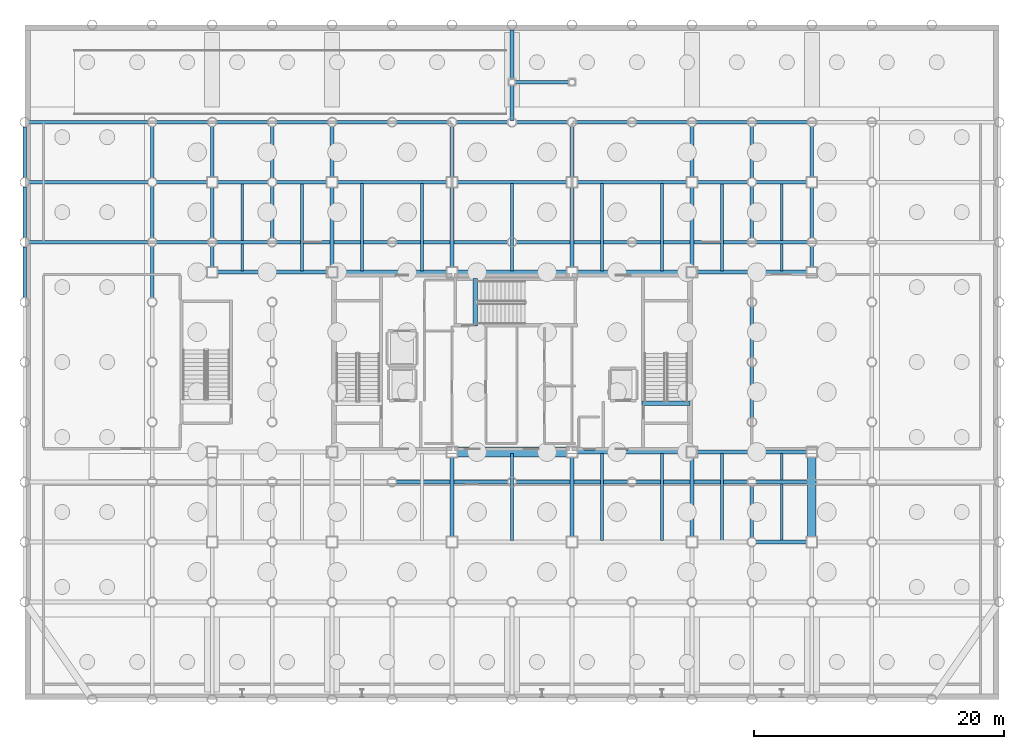
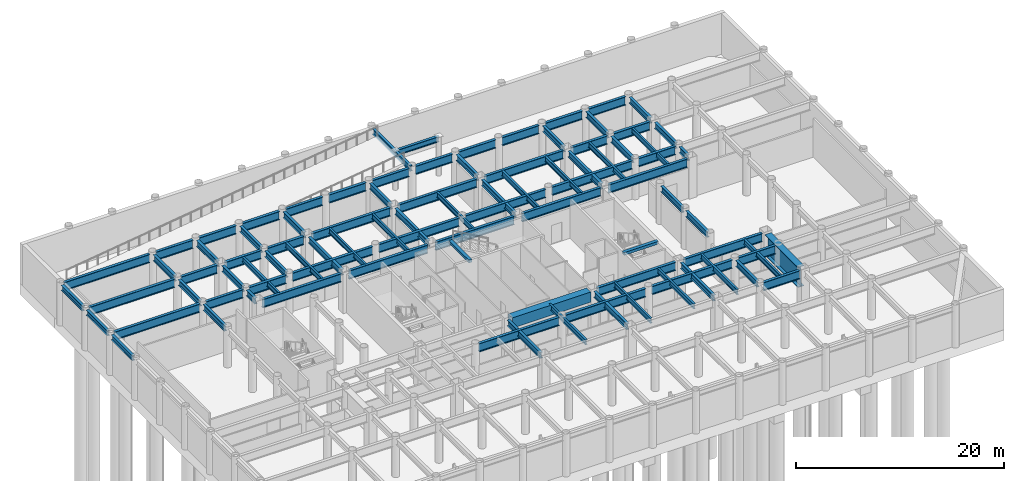
# One storey, part 7 of 17: 91 beams.
"""IFC4 building model written with IfcOpenShell, lengths in metres."""

from ifc_helpers import new_model, si_unit, direction, frame, origin, origin_2d, place, context, subcontext, project, spatial, rectangle, i_section, extrude, material, material_profile, profile_set, type_object, element, save


model = new_model("IFC4")

# Units and contexts
model_context = context("Model", 3, precision=1e-05, world=origin(), true_north=direction((0.0, 1.0)))
body_context = subcontext(model_context, "Body", "Model", "MODEL_VIEW")
ifc_project = project(units=[si_unit("LENGTHUNIT", "METRE"), si_unit("AREAUNIT", "SQUARE_METRE"), si_unit("VOLUMEUNIT", "CUBIC_METRE"), si_unit("PLANEANGLEUNIT", "RADIAN"), si_unit("MASSUNIT", "GRAM", prefix="KILO")], contexts=[model_context])

# Site, building, storey
site_placement = place(None, origin())
site = spatial("IfcSite", under=ifc_project, at=site_placement, CompositionType="ELEMENT")
building_placement = place(site_placement, origin())
building = spatial("IfcBuilding", under=site, at=building_placement, Name="Kallvorn Hotel Tower", CompositionType="ELEMENT")
storey_placement = place(building_placement, frame((0.0, 0.0, -10.199951171875)))
storey = spatial("IfcBuildingStorey", under=building, at=storey_placement, Name="B2", CompositionType="ELEMENT", Elevation=-10.199951171875)

# Beams
ifc_material_1 = material(Name="Structural steel S355JR", Category="steel")
ifc_material_profile_1 = material_profile(ifc_material_1, i_section(OverallWidth=0.300048828125, OverallDepth=1.0, WebThickness=0.01904296875, FlangeThickness=0.035888671875, at=origin_2d()), Name="HE 1000 B")
ifc_profile_set_1 = profile_set([ifc_material_profile_1], Name="Structural steel S355JR")
beam_type_1 = type_object("IfcBeamType", Name="BM_HE1000B", PredefinedType="BEAM", material=ifc_profile_set_1)
beam_1_placement = place(storey_placement, frame((19.555908203125, -14.39990234375, 4.050048828125), z_axis=(1.0, 0.0, 0.0), x_axis=(0.0, 1.0, 0.0)))
element("IfcBeam", 1, at=beam_1_placement, inside=storey, type_object=beam_type_1, Name="B1 Primary X-Girder 25", PredefinedType="BEAM", context=body_context, shape_type="SweptSolid", body=[
    extrude(i_section(OverallWidth=0.300048828125, OverallDepth=1.0, WebThickness=0.01904296875, FlangeThickness=0.035888671875, at=origin_2d()), origin(), (0.0, 0.0, 1.0), 4.01904296875),
])
for number, where, z_axis, x_axis, name in (
    (2, (-9.243896484375, -9.60009765625, 4.050048828125), (1.0, 0.0, 0.0), (0.0, 1.0, 0.0), "B1 Primary X-Girder 32"),
    (3, (0.35595703125, -9.60009765625, 4.050048828125), (1.0, 0.0, 0.0), (0.0, 1.0, 0.0), "B1 Primary X-Girder 33"),
    (4, (9.9560546875, -9.60009765625, 4.050048828125), (1.0, 0.0, 0.0), (0.0, 1.0, 0.0), "B1 Primary X-Girder 34"),
):
    element("IfcBeam", number, at=place(storey_placement, frame(where, z_axis=z_axis, x_axis=x_axis)), inside=storey, type_object=beam_type_1, Name=name, PredefinedType="BEAM", context=body_context, shape_type="SweptSolid", body=[
        extrude(i_section(OverallWidth=0.300048828125, OverallDepth=1.0, WebThickness=0.01904296875, FlangeThickness=0.035888671875, at=origin_2d()), origin(), (0.0, 0.0, 1.0), 8.887939453125),
    ])
beam_2_placement = place(storey_placement, frame((19.555908203125, -9.60009765625, 4.050048828125), z_axis=(1.0, 0.0, 0.0), x_axis=(0.0, 1.0, 0.0)))
element("IfcBeam", 5, at=beam_2_placement, inside=storey, type_object=beam_type_1, Name="B1 Primary X-Girder 35", PredefinedType="BEAM", context=body_context, shape_type="SweptSolid", body=[
    extrude(i_section(OverallWidth=0.300048828125, OverallDepth=1.0, WebThickness=0.01904296875, FlangeThickness=0.035888671875, at=origin_2d()), origin(), (0.0, 0.0, 1.0), 4.088134765625),
])
for number, where, z_axis, x_axis, name in (
    (6, (5.22509765625, -7.199951171875, 4.050048828125), (1.0, 0.0, 0.0), (0.0, 1.0, 0.0), "B1 Primary X-Girder 40"),
    (7, (14.824951171875, -7.199951171875, 4.050048828125), (1.0, 0.0, 0.0), (0.0, 1.0, 0.0), "B1 Primary X-Girder 41"),
    (8, (-23.574951171875, 7.199951171875, 4.050048828125), (1.0, 0.0, 0.0), (0.0, 1.0, 0.0), "B1 Primary X-Girder 42"),
    (9, (-13.97509765625, 7.199951171875, 4.050048828125), (1.0, 0.0, 0.0), (0.0, 1.0, 0.0), "B1 Primary X-Girder 43"),
    (10, (-4.375, 7.199951171875, 4.050048828125), (1.0, 0.0, 0.0), (0.0, 1.0, 0.0), "B1 Primary X-Girder 44"),
    (11, (5.22509765625, 7.199951171875, 4.050048828125), (1.0, 0.0, 0.0), (0.0, 1.0, 0.0), "B1 Primary X-Girder 45"),
    (12, (14.824951171875, 7.199951171875, 4.050048828125), (1.0, 0.0, 0.0), (0.0, 1.0, 0.0), "B1 Primary X-Girder 46"),
):
    element("IfcBeam", number, at=place(storey_placement, frame(where, z_axis=z_axis, x_axis=x_axis)), inside=storey, type_object=beam_type_1, Name=name, PredefinedType="BEAM", context=body_context, shape_type="SweptSolid", body=[
        extrude(i_section(OverallWidth=0.300048828125, OverallDepth=1.0, WebThickness=0.01904296875, FlangeThickness=0.035888671875, at=origin_2d()), origin(), (0.0, 0.0, 1.0), 8.75),
    ])
beam_3_placement = place(storey_placement, frame((-38.64404296875, 9.60009765625, 4.050048828125), z_axis=(1.0, 0.0, 0.0), x_axis=(0.0, 1.0, 0.0)))
element("IfcBeam", 13, at=beam_3_placement, inside=storey, type_object=beam_type_1, Name="B1 Primary X-Girder 47", PredefinedType="BEAM", context=body_context, shape_type="SweptSolid", body=[
    extrude(i_section(OverallWidth=0.300048828125, OverallDepth=1.0, WebThickness=0.01904296875, FlangeThickness=0.035888671875, at=origin_2d()), origin(), (0.0, 0.0, 1.0), 9.488037109375),
])
for number, where, z_axis, x_axis, name in (
    (14, (-28.444091796875, 9.60009765625, 4.050048828125), (1.0, 0.0, 0.0), (0.0, 1.0, 0.0), "B1 Primary X-Girder 48"),
    (15, (-23.64404296875, 9.60009765625, 4.050048828125), (1.0, 0.0, 0.0), (0.0, 1.0, 0.0), "B1 Primary X-Girder 49"),
):
    element("IfcBeam", number, at=place(storey_placement, frame(where, z_axis=z_axis, x_axis=x_axis)), inside=storey, type_object=beam_type_1, Name=name, PredefinedType="BEAM", context=body_context, shape_type="SweptSolid", body=[
        extrude(i_section(OverallWidth=0.300048828125, OverallDepth=1.0, WebThickness=0.01904296875, FlangeThickness=0.035888671875, at=origin_2d()), origin(), (0.0, 0.0, 1.0), 4.088134765625),
    ])
for number, where, z_axis, x_axis, name in (
    (16, (-18.843994140625, 9.60009765625, 4.050048828125), (1.0, 0.0, 0.0), (0.0, 1.0, 0.0), "B1 Primary X-Girder 50"),
    (17, (-9.243896484375, 9.60009765625, 4.050048828125), (1.0, 0.0, 0.0), (0.0, 1.0, 0.0), "B1 Primary X-Girder 51"),
    (18, (0.35595703125, 9.60009765625, 4.050048828125), (1.0, 0.0, 0.0), (0.0, 1.0, 0.0), "B1 Primary X-Girder 52"),
    (19, (9.9560546875, 9.60009765625, 4.050048828125), (1.0, 0.0, 0.0), (0.0, 1.0, 0.0), "B1 Primary X-Girder 53"),
):
    element("IfcBeam", number, at=place(storey_placement, frame(where, z_axis=z_axis, x_axis=x_axis)), inside=storey, type_object=beam_type_1, Name=name, PredefinedType="BEAM", context=body_context, shape_type="SweptSolid", body=[
        extrude(i_section(OverallWidth=0.300048828125, OverallDepth=1.0, WebThickness=0.01904296875, FlangeThickness=0.035888671875, at=origin_2d()), origin(), (0.0, 0.0, 1.0), 8.887939453125),
    ])
beam_4_placement = place(storey_placement, frame((19.555908203125, 9.60009765625, 4.050048828125), z_axis=(1.0, 0.0, 0.0), x_axis=(0.0, 1.0, 0.0)))
element("IfcBeam", 20, at=beam_4_placement, inside=storey, type_object=beam_type_1, Name="B1 Primary X-Girder 54", PredefinedType="BEAM", context=body_context, shape_type="SweptSolid", body=[
    extrude(i_section(OverallWidth=0.300048828125, OverallDepth=1.0, WebThickness=0.01904296875, FlangeThickness=0.035888671875, at=origin_2d()), origin(), (0.0, 0.0, 1.0), 4.088134765625),
])
beam_5_placement = place(storey_placement, frame((-38.64404296875, 14.39990234375, 4.050048828125), z_axis=(1.0, 0.0, 0.0), x_axis=(0.0, 1.0, 0.0)))
element("IfcBeam", 21, at=beam_5_placement, inside=storey, type_object=beam_type_1, Name="B1 Primary X-Girder 57", PredefinedType="BEAM", context=body_context, shape_type="SweptSolid", body=[
    extrude(i_section(OverallWidth=0.300048828125, OverallDepth=1.0, WebThickness=0.01904296875, FlangeThickness=0.035888671875, at=origin_2d()), origin(), (0.0, 0.0, 1.0), 9.488037109375),
])
for number, where, z_axis, x_axis, name in (
    (22, (-28.444091796875, 14.39990234375, 4.050048828125), (1.0, 0.0, 0.0), (0.0, 1.0, 0.0), "B1 Primary X-Girder 58"),
    (23, (-23.574951171875, 14.39990234375, 4.050048828125), (1.0, 0.0, 0.0), (0.0, 1.0, 0.0), "B1 Primary X-Girder 59"),
    (24, (-18.843994140625, 14.39990234375, 4.050048828125), (1.0, 0.0, 0.0), (0.0, 1.0, 0.0), "B1 Primary X-Girder 60"),
):
    element("IfcBeam", number, at=place(storey_placement, frame(where, z_axis=z_axis, x_axis=x_axis)), inside=storey, type_object=beam_type_1, Name=name, PredefinedType="BEAM", context=body_context, shape_type="SweptSolid", body=[
        extrude(i_section(OverallWidth=0.300048828125, OverallDepth=1.0, WebThickness=0.01904296875, FlangeThickness=0.035888671875, at=origin_2d()), origin(), (0.0, 0.0, 1.0), 4.01904296875),
    ])
for number, where, z_axis, x_axis, name in (
    (25, (-13.97509765625, 14.39990234375, 4.050048828125), (1.0, 0.0, 0.0), (0.0, 1.0, 0.0), "B1 Primary X-Girder 61"),
    (26, (-4.375, 14.39990234375, 4.050048828125), (1.0, 0.0, 0.0), (0.0, 1.0, 0.0), "B1 Primary X-Girder 62"),
    (27, (5.22509765625, 14.39990234375, 4.050048828125), (1.0, 0.0, 0.0), (0.0, 1.0, 0.0), "B1 Primary X-Girder 63"),
):
    element("IfcBeam", number, at=place(storey_placement, frame(where, z_axis=z_axis, x_axis=x_axis)), inside=storey, type_object=beam_type_1, Name=name, PredefinedType="BEAM", context=body_context, shape_type="SweptSolid", body=[
        extrude(i_section(OverallWidth=0.300048828125, OverallDepth=1.0, WebThickness=0.01904296875, FlangeThickness=0.035888671875, at=origin_2d()), origin(), (0.0, 0.0, 1.0), 8.75),
    ])
for number, where, z_axis, x_axis, name in (
    (28, (14.824951171875, 14.39990234375, 4.050048828125), (1.0, 0.0, 0.0), (0.0, 1.0, 0.0), "B1 Primary X-Girder 64"),
    (29, (19.555908203125, 14.39990234375, 4.050048828125), (1.0, 0.0, 0.0), (0.0, 1.0, 0.0), "B1 Primary X-Girder 65"),
):
    element("IfcBeam", number, at=place(storey_placement, frame(where, z_axis=z_axis, x_axis=x_axis)), inside=storey, type_object=beam_type_1, Name=name, PredefinedType="BEAM", context=body_context, shape_type="SweptSolid", body=[
        extrude(i_section(OverallWidth=0.300048828125, OverallDepth=1.0, WebThickness=0.01904296875, FlangeThickness=0.035888671875, at=origin_2d()), origin(), (0.0, 0.0, 1.0), 4.01904296875),
    ])
beam_6_placement = place(storey_placement, frame((-38.64404296875, 19.199951171875, 4.050048828125), z_axis=(1.0, 0.0, 0.0), x_axis=(0.0, 1.0, 0.0)))
element("IfcBeam", 30, at=beam_6_placement, inside=storey, type_object=beam_type_1, Name="B1 Primary X-Girder 68", PredefinedType="BEAM", context=body_context, shape_type="SweptSolid", body=[
    extrude(i_section(OverallWidth=0.300048828125, OverallDepth=1.0, WebThickness=0.01904296875, FlangeThickness=0.035888671875, at=origin_2d()), origin(), (0.0, 0.0, 1.0), 9.488037109375),
])
for number, where, z_axis, x_axis, name in (
    (31, (-28.444091796875, 19.199951171875, 4.050048828125), (1.0, 0.0, 0.0), (0.0, 1.0, 0.0), "B1 Primary X-Girder 69"),
    (32, (-23.64404296875, 19.199951171875, 4.050048828125), (1.0, 0.0, 0.0), (0.0, 1.0, 0.0), "B1 Primary X-Girder 70"),
):
    element("IfcBeam", number, at=place(storey_placement, frame(where, z_axis=z_axis, x_axis=x_axis)), inside=storey, type_object=beam_type_1, Name=name, PredefinedType="BEAM", context=body_context, shape_type="SweptSolid", body=[
        extrude(i_section(OverallWidth=0.300048828125, OverallDepth=1.0, WebThickness=0.01904296875, FlangeThickness=0.035888671875, at=origin_2d()), origin(), (0.0, 0.0, 1.0), 4.088134765625),
    ])
for number, where, z_axis, x_axis, name in (
    (33, (-18.843994140625, 19.199951171875, 4.050048828125), (1.0, 0.0, 0.0), (0.0, 1.0, 0.0), "B1 Primary X-Girder 71"),
    (34, (-14.0439453125, 19.199951171875, 4.050048828125), (1.0, 0.0, 0.0), (0.0, 1.0, 0.0), "B1 Primary X-Girder 72"),
    (35, (-9.243896484375, 19.199951171875, 4.050048828125), (1.0, 0.0, 0.0), (0.0, 1.0, 0.0), "B1 Primary X-Girder 73"),
):
    element("IfcBeam", number, at=place(storey_placement, frame(where, z_axis=z_axis, x_axis=x_axis)), inside=storey, type_object=beam_type_1, Name=name, PredefinedType="BEAM", context=body_context, shape_type="SweptSolid", body=[
        extrude(i_section(OverallWidth=0.300048828125, OverallDepth=1.0, WebThickness=0.01904296875, FlangeThickness=0.035888671875, at=origin_2d()), origin(), (0.0, 0.0, 1.0), 4.087890625),
    ])
for number, where, z_axis, x_axis, name in (
    (36, (-4.444091796875, 19.199951171875, 4.050048828125), (1.0, 0.0, 0.0), (0.0, 1.0, 0.0), "B1 Primary X-Girder 74"),
    (37, (0.35595703125, 19.199951171875, 4.050048828125), (1.0, 0.0, 0.0), (0.0, 1.0, 0.0), "B1 Primary X-Girder 75"),
):
    element("IfcBeam", number, at=place(storey_placement, frame(where, z_axis=z_axis, x_axis=x_axis)), inside=storey, type_object=beam_type_1, Name=name, PredefinedType="BEAM", context=body_context, shape_type="SweptSolid", body=[
        extrude(i_section(OverallWidth=0.300048828125, OverallDepth=1.0, WebThickness=0.01904296875, FlangeThickness=0.035888671875, at=origin_2d()), origin(), (0.0, 0.0, 1.0), 4.088134765625),
    ])
for number, where, z_axis, x_axis, name in (
    (38, (5.156005859375, 19.199951171875, 4.050048828125), (1.0, 0.0, 0.0), (0.0, 1.0, 0.0), "B1 Primary X-Girder 76"),
    (39, (9.9560546875, 19.199951171875, 4.050048828125), (1.0, 0.0, 0.0), (0.0, 1.0, 0.0), "B1 Primary X-Girder 77"),
    (40, (14.756103515625, 19.199951171875, 4.050048828125), (1.0, 0.0, 0.0), (0.0, 1.0, 0.0), "B1 Primary X-Girder 78"),
):
    element("IfcBeam", number, at=place(storey_placement, frame(where, z_axis=z_axis, x_axis=x_axis)), inside=storey, type_object=beam_type_1, Name=name, PredefinedType="BEAM", context=body_context, shape_type="SweptSolid", body=[
        extrude(i_section(OverallWidth=0.300048828125, OverallDepth=1.0, WebThickness=0.01904296875, FlangeThickness=0.035888671875, at=origin_2d()), origin(), (0.0, 0.0, 1.0), 4.087890625),
    ])
beam_7_placement = place(storey_placement, frame((19.555908203125, 19.199951171875, 4.050048828125), z_axis=(1.0, 0.0, 0.0), x_axis=(0.0, 1.0, 0.0)))
element("IfcBeam", 41, at=beam_7_placement, inside=storey, type_object=beam_type_1, Name="B1 Primary X-Girder 79", PredefinedType="BEAM", context=body_context, shape_type="SweptSolid", body=[
    extrude(i_section(OverallWidth=0.300048828125, OverallDepth=1.0, WebThickness=0.01904296875, FlangeThickness=0.035888671875, at=origin_2d()), origin(), (0.0, 0.0, 1.0), 4.088134765625),
])
ifc_material_2 = material(Name="Structural steel S355JR", Category="steel")
ifc_material_profile_2 = material_profile(ifc_material_2, i_section(OverallWidth=0.300048828125, OverallDepth=0.60009765625, WebThickness=0.015380859375, FlangeThickness=0.030029296875, at=origin_2d()), Name="HE 600 B")
ifc_profile_set_2 = profile_set([ifc_material_profile_2], Name="Structural steel S355JR")
beam_type_2 = type_object("IfcBeamType", Name="BM_HE600B", PredefinedType="SPANDREL", material=ifc_profile_set_2)
for number, where, z_axis, x_axis, name in (
    (42, (-39.0, 5.1708984375, 4.25), (0.0, 1.0, 0.0), (-1.0, 0.0, 0.0), "B1 Perimeter Spandrel 207"),
    (43, (-39.0, 9.970947265625, 4.25), (0.0, 1.0, 0.0), (-1.0, 0.0, 0.0), "B1 Perimeter Spandrel 208"),
    (44, (-39.0, 14.77099609375, 4.25), (0.0, 1.0, 0.0), (-1.0, 0.0, 0.0), "B1 Perimeter Spandrel 209"),
):
    element("IfcBeam", number, at=place(storey_placement, frame(where, z_axis=z_axis, x_axis=x_axis)), inside=storey, type_object=beam_type_2, Name=name, PredefinedType="SPANDREL", context=body_context, shape_type="SweptSolid", body=[
        extrude(i_section(OverallWidth=0.300048828125, OverallDepth=0.60009765625, WebThickness=0.015380859375, FlangeThickness=0.030029296875, at=origin_2d()), origin(), (0.0, 0.0, 1.0), 4.05810546875),
    ])
ifc_material_3 = material(Name="Structural steel S355JR", Category="steel")
ifc_material_profile_3 = material_profile(ifc_material_3, i_section(OverallWidth=0.300048828125, OverallDepth=0.64990234375, WebThickness=0.01611328125, FlangeThickness=0.031005859375, at=origin_2d()), Name="HE 650 B")
ifc_profile_set_3 = profile_set([ifc_material_profile_3], Name="Structural steel S355JR")
beam_type_3 = type_object("IfcBeamType", Name="BM_HE650B", PredefinedType="BEAM", material=ifc_profile_set_3)
beam_8_placement = place(storey_placement, frame((0.0, 19.35009765625, 4.224853515625), z_axis=(0.0, 1.0, 0.0), x_axis=(-1.0, 0.0, 0.0)))
element("IfcBeam", 45, at=beam_8_placement, inside=storey, type_object=beam_type_3, Name="B1 Vehicle Ramp Toe Support Girder", PredefinedType="BEAM", context=body_context, shape_type="SweptSolid", body=[
    extrude(i_section(OverallWidth=0.300048828125, OverallDepth=0.64990234375, WebThickness=0.01611328125, FlangeThickness=0.031005859375, at=origin_2d()), origin(), (0.0, 0.0, 1.0), 7.25),
])
beam_9_placement = place(storey_placement, frame((0.0, 22.39990234375, 4.224853515625), z_axis=(1.0, 0.0, 0.0), x_axis=(0.0, 1.0, 0.0)))
element("IfcBeam", 46, at=beam_9_placement, inside=storey, type_object=beam_type_3, Name="B1 Vehicle Ramp Support Cross-Girder", PredefinedType="BEAM", context=body_context, shape_type="SweptSolid", body=[
    extrude(i_section(OverallWidth=0.300048828125, OverallDepth=0.64990234375, WebThickness=0.01611328125, FlangeThickness=0.031005859375, at=origin_2d()), origin(), (0.0, 0.0, 1.0), 4.800048828125),
])
ifc_material_4 = material(Name="Structural steel S355JR", Category="steel")
ifc_material_profile_4 = material_profile(ifc_material_4, i_section(OverallWidth=0.300048828125, OverallDepth=0.699951171875, WebThickness=0.01708984375, FlangeThickness=0.031982421875, at=origin_2d()), Name="HE 700 B")
ifc_profile_set_4 = profile_set([ifc_material_profile_4], Name="Structural steel S355JR")
beam_type_4 = type_object("IfcBeamType", Name="BM_HE700B", PredefinedType="BEAM", material=ifc_profile_set_4)
for number, where, z_axis, x_axis, name in (
    (47, (-28.800048828125, 5.156005859375, 4.199951171875), (0.0, 1.0, 0.0), (-1.0, 0.0, 0.0), "B1 Primary Y-Girder 88"),
    (48, (-28.800048828125, 9.9560546875, 4.199951171875), (0.0, 1.0, 0.0), (-1.0, 0.0, 0.0), "B1 Primary Y-Girder 89"),
    (49, (-28.800048828125, 14.756103515625, 4.199951171875), (0.0, 1.0, 0.0), (-1.0, 0.0, 0.0), "B1 Primary Y-Girder 90"),
):
    element("IfcBeam", number, at=place(storey_placement, frame(where, z_axis=z_axis, x_axis=x_axis)), inside=storey, type_object=beam_type_4, Name=name, PredefinedType="BEAM", context=body_context, shape_type="SweptSolid", body=[
        extrude(i_section(OverallWidth=0.300048828125, OverallDepth=0.699951171875, WebThickness=0.01708984375, FlangeThickness=0.031982421875, at=origin_2d()), origin(), (0.0, 0.0, 1.0), 4.087890625),
    ])
beam_10_placement = place(storey_placement, frame((-24.0, 7.625, 4.199951171875), z_axis=(0.0, 1.0, 0.0), x_axis=(-1.0, 0.0, 0.0)))
element("IfcBeam", 50, at=beam_10_placement, inside=storey, type_object=beam_type_4, Name="B1 Primary Y-Girder 96", PredefinedType="BEAM", context=body_context, shape_type="SweptSolid", body=[
    extrude(i_section(OverallWidth=0.300048828125, OverallDepth=0.699951171875, WebThickness=0.01708984375, FlangeThickness=0.031982421875, at=origin_2d()), origin(), (0.0, 0.0, 1.0), 1.618896484375),
])
for number, where, z_axis, x_axis, name in (
    (51, (-24.0, 9.9560546875, 4.199951171875), (0.0, 1.0, 0.0), (-1.0, 0.0, 0.0), "B1 Primary Y-Girder 97"),
    (52, (-24.0, 14.824951171875, 4.199951171875), (0.0, 1.0, 0.0), (-1.0, 0.0, 0.0), "B1 Primary Y-Girder 98"),
):
    element("IfcBeam", number, at=place(storey_placement, frame(where, z_axis=z_axis, x_axis=x_axis)), inside=storey, type_object=beam_type_4, Name=name, PredefinedType="BEAM", context=body_context, shape_type="SweptSolid", body=[
        extrude(i_section(OverallWidth=0.300048828125, OverallDepth=0.699951171875, WebThickness=0.01708984375, FlangeThickness=0.031982421875, at=origin_2d()), origin(), (0.0, 0.0, 1.0), 4.01904296875),
    ])
for number, where, z_axis, x_axis, name in (
    (53, (-19.199951171875, 9.9560546875, 4.199951171875), (0.0, 1.0, 0.0), (-1.0, 0.0, 0.0), "B1 Primary Y-Girder 107"),
    (54, (-19.199951171875, 14.756103515625, 4.199951171875), (0.0, 1.0, 0.0), (-1.0, 0.0, 0.0), "B1 Primary Y-Girder 108"),
):
    element("IfcBeam", number, at=place(storey_placement, frame(where, z_axis=z_axis, x_axis=x_axis)), inside=storey, type_object=beam_type_4, Name=name, PredefinedType="BEAM", context=body_context, shape_type="SweptSolid", body=[
        extrude(i_section(OverallWidth=0.300048828125, OverallDepth=0.699951171875, WebThickness=0.01708984375, FlangeThickness=0.031982421875, at=origin_2d()), origin(), (0.0, 0.0, 1.0), 4.087890625),
    ])
beam_11_placement = place(storey_placement, frame((-14.39990234375, 7.625, 4.199951171875), z_axis=(0.0, 1.0, 0.0), x_axis=(-1.0, 0.0, 0.0)))
element("IfcBeam", 55, at=beam_11_placement, inside=storey, type_object=beam_type_4, Name="B1 Primary Y-Girder 113", PredefinedType="BEAM", context=body_context, shape_type="SweptSolid", body=[
    extrude(i_section(OverallWidth=0.300048828125, OverallDepth=0.699951171875, WebThickness=0.01708984375, FlangeThickness=0.031982421875, at=origin_2d()), origin(), (0.0, 0.0, 1.0), 6.35009765625),
])
beam_12_placement = place(storey_placement, frame((-14.39990234375, 14.824951171875, 4.199951171875), z_axis=(0.0, 1.0, 0.0), x_axis=(-1.0, 0.0, 0.0)))
element("IfcBeam", 56, at=beam_12_placement, inside=storey, type_object=beam_type_4, Name="B1 Primary Y-Girder 114", PredefinedType="BEAM", context=body_context, shape_type="SweptSolid", body=[
    extrude(i_section(OverallWidth=0.300048828125, OverallDepth=0.699951171875, WebThickness=0.01708984375, FlangeThickness=0.031982421875, at=origin_2d()), origin(), (0.0, 0.0, 1.0), 4.01904296875),
])
for number, where, z_axis, x_axis, name in (
    (57, (-4.800048828125, -13.97509765625, 4.199951171875), (0.0, 1.0, 0.0), (-1.0, 0.0, 0.0), "B1 Primary Y-Girder 122"),
    (58, (-4.800048828125, 7.625, 4.199951171875), (0.0, 1.0, 0.0), (-1.0, 0.0, 0.0), "B1 Primary Y-Girder 123"),
):
    element("IfcBeam", number, at=place(storey_placement, frame(where, z_axis=z_axis, x_axis=x_axis)), inside=storey, type_object=beam_type_4, Name=name, PredefinedType="BEAM", context=body_context, shape_type="SweptSolid", body=[
        extrude(i_section(OverallWidth=0.300048828125, OverallDepth=0.699951171875, WebThickness=0.01708984375, FlangeThickness=0.031982421875, at=origin_2d()), origin(), (0.0, 0.0, 1.0), 6.35009765625),
    ])
beam_13_placement = place(storey_placement, frame((-4.800048828125, 14.824951171875, 4.199951171875), z_axis=(0.0, 1.0, 0.0), x_axis=(-1.0, 0.0, 0.0)))
element("IfcBeam", 59, at=beam_13_placement, inside=storey, type_object=beam_type_4, Name="B1 Primary Y-Girder 124", PredefinedType="BEAM", context=body_context, shape_type="SweptSolid", body=[
    extrude(i_section(OverallWidth=0.300048828125, OverallDepth=0.699951171875, WebThickness=0.01708984375, FlangeThickness=0.031982421875, at=origin_2d()), origin(), (0.0, 0.0, 1.0), 4.01904296875),
])
for number, where, z_axis, x_axis, name in (
    (60, (4.800048828125, -13.97509765625, 4.199951171875), (0.0, 1.0, 0.0), (-1.0, 0.0, 0.0), "B1 Primary Y-Girder 132"),
    (61, (4.800048828125, 7.625, 4.199951171875), (0.0, 1.0, 0.0), (-1.0, 0.0, 0.0), "B1 Primary Y-Girder 133"),
):
    element("IfcBeam", number, at=place(storey_placement, frame(where, z_axis=z_axis, x_axis=x_axis)), inside=storey, type_object=beam_type_4, Name=name, PredefinedType="BEAM", context=body_context, shape_type="SweptSolid", body=[
        extrude(i_section(OverallWidth=0.300048828125, OverallDepth=0.699951171875, WebThickness=0.01708984375, FlangeThickness=0.031982421875, at=origin_2d()), origin(), (0.0, 0.0, 1.0), 6.35009765625),
    ])
beam_14_placement = place(storey_placement, frame((4.800048828125, 14.824951171875, 4.199951171875), z_axis=(0.0, 1.0, 0.0), x_axis=(-1.0, 0.0, 0.0)))
element("IfcBeam", 62, at=beam_14_placement, inside=storey, type_object=beam_type_4, Name="B1 Primary Y-Girder 134", PredefinedType="BEAM", context=body_context, shape_type="SweptSolid", body=[
    extrude(i_section(OverallWidth=0.300048828125, OverallDepth=0.699951171875, WebThickness=0.01708984375, FlangeThickness=0.031982421875, at=origin_2d()), origin(), (0.0, 0.0, 1.0), 4.01904296875),
])
for number, where, z_axis, x_axis, name in (
    (63, (14.39990234375, -13.97509765625, 4.199951171875), (0.0, 1.0, 0.0), (-1.0, 0.0, 0.0), "B1 Primary Y-Girder 142"),
    (64, (14.39990234375, 7.625, 4.199951171875), (0.0, 1.0, 0.0), (-1.0, 0.0, 0.0), "B1 Primary Y-Girder 143"),
):
    element("IfcBeam", number, at=place(storey_placement, frame(where, z_axis=z_axis, x_axis=x_axis)), inside=storey, type_object=beam_type_4, Name=name, PredefinedType="BEAM", context=body_context, shape_type="SweptSolid", body=[
        extrude(i_section(OverallWidth=0.300048828125, OverallDepth=0.699951171875, WebThickness=0.01708984375, FlangeThickness=0.031982421875, at=origin_2d()), origin(), (0.0, 0.0, 1.0), 6.35009765625),
    ])
beam_15_placement = place(storey_placement, frame((14.39990234375, 14.824951171875, 4.199951171875), z_axis=(0.0, 1.0, 0.0), x_axis=(-1.0, 0.0, 0.0)))
element("IfcBeam", 65, at=beam_15_placement, inside=storey, type_object=beam_type_4, Name="B1 Primary Y-Girder 144", PredefinedType="BEAM", context=body_context, shape_type="SweptSolid", body=[
    extrude(i_section(OverallWidth=0.300048828125, OverallDepth=0.699951171875, WebThickness=0.01708984375, FlangeThickness=0.031982421875, at=origin_2d()), origin(), (0.0, 0.0, 1.0), 4.01904296875),
])
beam_16_placement = place(storey_placement, frame((19.199951171875, -14.0439453125, 4.199951171875), z_axis=(0.0, 1.0, 0.0), x_axis=(-1.0, 0.0, 0.0)))
element("IfcBeam", 66, at=beam_16_placement, inside=storey, type_object=beam_type_4, Name="B1 Primary Y-Girder 148", PredefinedType="BEAM", context=body_context, shape_type="SweptSolid", body=[
    extrude(i_section(OverallWidth=0.300048828125, OverallDepth=0.699951171875, WebThickness=0.01708984375, FlangeThickness=0.031982421875, at=origin_2d()), origin(), (0.0, 0.0, 1.0), 4.087890625),
])
for number, where, z_axis, x_axis, name in (
    (67, (19.199951171875, -4.444091796875, 4.199951171875), (0.0, 1.0, 0.0), (-1.0, 0.0, 0.0), "B1 Primary Y-Girder 150"),
    (68, (19.199951171875, 0.35595703125, 4.199951171875), (0.0, 1.0, 0.0), (-1.0, 0.0, 0.0), "B1 Primary Y-Girder 151"),
):
    element("IfcBeam", number, at=place(storey_placement, frame(where, z_axis=z_axis, x_axis=x_axis)), inside=storey, type_object=beam_type_4, Name=name, PredefinedType="BEAM", context=body_context, shape_type="SweptSolid", body=[
        extrude(i_section(OverallWidth=0.300048828125, OverallDepth=0.699951171875, WebThickness=0.01708984375, FlangeThickness=0.031982421875, at=origin_2d()), origin(), (0.0, 0.0, 1.0), 4.088134765625),
    ])
for number, where, z_axis, x_axis, name in (
    (69, (19.199951171875, 9.9560546875, 4.199951171875), (0.0, 1.0, 0.0), (-1.0, 0.0, 0.0), "B1 Primary Y-Girder 153"),
    (70, (19.199951171875, 14.756103515625, 4.199951171875), (0.0, 1.0, 0.0), (-1.0, 0.0, 0.0), "B1 Primary Y-Girder 154"),
):
    element("IfcBeam", number, at=place(storey_placement, frame(where, z_axis=z_axis, x_axis=x_axis)), inside=storey, type_object=beam_type_4, Name=name, PredefinedType="BEAM", context=body_context, shape_type="SweptSolid", body=[
        extrude(i_section(OverallWidth=0.300048828125, OverallDepth=0.699951171875, WebThickness=0.01708984375, FlangeThickness=0.031982421875, at=origin_2d()), origin(), (0.0, 0.0, 1.0), 4.087890625),
    ])
beam_17_placement = place(storey_placement, frame((24.0, 7.625, 4.199951171875), z_axis=(0.0, 1.0, 0.0), x_axis=(-1.0, 0.0, 0.0)))
element("IfcBeam", 71, at=beam_17_placement, inside=storey, type_object=beam_type_4, Name="B1 Primary Y-Girder 160", PredefinedType="BEAM", context=body_context, shape_type="SweptSolid", body=[
    extrude(i_section(OverallWidth=0.300048828125, OverallDepth=0.699951171875, WebThickness=0.01708984375, FlangeThickness=0.031982421875, at=origin_2d()), origin(), (0.0, 0.0, 1.0), 1.618896484375),
])
for number, where, z_axis, x_axis, name in (
    (72, (24.0, 9.9560546875, 4.199951171875), (0.0, 1.0, 0.0), (-1.0, 0.0, 0.0), "B1 Primary Y-Girder 161"),
    (73, (24.0, 14.824951171875, 4.199951171875), (0.0, 1.0, 0.0), (-1.0, 0.0, 0.0), "B1 Primary Y-Girder 162"),
):
    element("IfcBeam", number, at=place(storey_placement, frame(where, z_axis=z_axis, x_axis=x_axis)), inside=storey, type_object=beam_type_4, Name=name, PredefinedType="BEAM", context=body_context, shape_type="SweptSolid", body=[
        extrude(i_section(OverallWidth=0.300048828125, OverallDepth=0.699951171875, WebThickness=0.01708984375, FlangeThickness=0.031982421875, at=origin_2d()), origin(), (0.0, 0.0, 1.0), 4.01904296875),
    ])
ifc_material_5 = material(Name="Structural steel S355JR", Category="steel")
ifc_material_profile_5 = material_profile(ifc_material_5, i_section(OverallWidth=0.219970703125, OverallDepth=0.60009765625, WebThickness=0.011962890625, FlangeThickness=0.01904296875, at=origin_2d()), Name="IPE 600")
ifc_profile_set_5 = profile_set([ifc_material_profile_5], Name="Structural steel S355JR")
beam_type_5 = type_object("IfcBeamType", Name="BM_IPE600", PredefinedType="JOIST", material=ifc_profile_set_5)
for number, where, z_axis, x_axis, name in (
    (74, (-21.60009765625, 7.300048828125, 4.25), (0.0, 1.0, 0.0), (-1.0, 0.0, 0.0), "B1 Secondary Composite Joist 223"),
    (75, (-16.800048828125, 7.300048828125, 4.25), (0.0, 1.0, 0.0), (-1.0, 0.0, 0.0), "B1 Secondary Composite Joist 225"),
    (76, (-12.0, 7.300048828125, 4.25), (0.0, 1.0, 0.0), (-1.0, 0.0, 0.0), "B1 Secondary Composite Joist 227"),
    (77, (-7.199951171875, 7.300048828125, 4.25), (0.0, 1.0, 0.0), (-1.0, 0.0, 0.0), "B1 Secondary Composite Joist 229"),
    (78, (0.0, -14.300048828125, 4.25), (0.0, 1.0, 0.0), (-1.0, 0.0, 0.0), "B1 Secondary Composite Joist 230"),
    (79, (0.0, 7.300048828125, 4.25), (0.0, 1.0, 0.0), (-1.0, 0.0, 0.0), "B1 Secondary Composite Joist 231"),
    (80, (7.199951171875, -14.300048828125, 4.25), (0.0, 1.0, 0.0), (-1.0, 0.0, 0.0), "B1 Secondary Composite Joist 232"),
    (81, (7.199951171875, 7.300048828125, 4.25), (0.0, 1.0, 0.0), (-1.0, 0.0, 0.0), "B1 Secondary Composite Joist 233"),
    (82, (12.0, -14.300048828125, 4.25), (0.0, 1.0, 0.0), (-1.0, 0.0, 0.0), "B1 Secondary Composite Joist 234"),
    (83, (12.0, 7.300048828125, 4.25), (0.0, 1.0, 0.0), (-1.0, 0.0, 0.0), "B1 Secondary Composite Joist 235"),
    (84, (16.800048828125, -14.300048828125, 4.25), (0.0, 1.0, 0.0), (-1.0, 0.0, 0.0), "B1 Secondary Composite Joist 236"),
    (85, (16.800048828125, 7.300048828125, 4.25), (0.0, 1.0, 0.0), (-1.0, 0.0, 0.0), "B1 Secondary Composite Joist 237"),
    (86, (21.60009765625, -14.300048828125, 4.25), (0.0, 1.0, 0.0), (-1.0, 0.0, 0.0), "B1 Secondary Composite Joist 238"),
    (87, (21.60009765625, 7.300048828125, 4.25), (0.0, 1.0, 0.0), (-1.0, 0.0, 0.0), "B1 Secondary Composite Joist 239"),
):
    element("IfcBeam", number, at=place(storey_placement, frame(where, z_axis=z_axis, x_axis=x_axis)), inside=storey, type_object=beam_type_5, Name=name, PredefinedType="JOIST", context=body_context, shape_type="SweptSolid", body=[
        extrude(i_section(OverallWidth=0.219970703125, OverallDepth=0.60009765625, WebThickness=0.011962890625, FlangeThickness=0.01904296875, at=origin_2d()), origin(), (0.0, 0.0, 1.0), 7.0),
    ])
ifc_material_6 = material(Name="Structural steel S355JR", Category="steel")
ifc_material_profile_6 = material_profile(ifc_material_6, i_section(OverallWidth=0.699951171875, OverallDepth=2.39990234375, WebThickness=0.031982421875, FlangeThickness=0.06005859375, at=origin_2d()), Name="PG 2400x700x32x60")
ifc_profile_set_6 = profile_set([ifc_material_profile_6], Name="Structural steel S355JR")
beam_type_6 = type_object("IfcBeamType", Name="BM_PG_2400", PredefinedType="BEAM", material=ifc_profile_set_6)
beam_18_placement = place(storey_placement, frame((24.0, -13.9599609375, 3.349853515625), z_axis=(0.0, 1.0, 0.0), x_axis=(-1.0, 0.0, 0.0)))
element("IfcBeam", 88, at=beam_18_placement, inside=storey, type_object=beam_type_6, Name="B1 Heavy Portal Girder E", PredefinedType="BEAM", context=body_context, shape_type="SweptSolid", body=[
    extrude(i_section(OverallWidth=0.699951171875, OverallDepth=2.39990234375, WebThickness=0.031982421875, FlangeThickness=0.06005859375, at=origin_2d()), origin(), (0.0, 0.0, 1.0), 6.320068359375),
])
ifc_material_7 = material(Name="Concrete C50/60", Category="concrete")
ifc_material_profile_7 = material_profile(ifc_material_7, rectangle(XDim=0.360107421875, YDim=0.340087890625, at=origin_2d()), Name="RC 360x340")
ifc_profile_set_7 = profile_set([ifc_material_profile_7], Name="Concrete C50/60")
beam_type_7 = type_object("IfcBeamType", Name="BM_RC_400x360", PredefinedType="BEAM", material=ifc_profile_set_7)
beam_19_placement = place(storey_placement, frame((14.239990234375, -3.31005859375, 4.3798828125), z_axis=(-1.0, 0.0, 0.0), x_axis=(0.0, -1.0, 0.0)))
element("IfcBeam", 89, at=beam_19_placement, inside=storey, type_object=beam_type_7, Name="B1 Stair ST2 Arrival Trimmer Beam", PredefinedType="BEAM", context=body_context, shape_type="SweptSolid", body=[
    extrude(rectangle(XDim=0.360107421875, YDim=0.340087890625, at=origin_2d()), origin(), (0.0, 0.0, 1.0), 3.820068359375),
])
beam_20_placement = place(storey_placement, frame((-2.9599609375, 2.8701171875, 4.3798828125), z_axis=(0.0, 1.0, 0.0), x_axis=(-1.0, 0.0, 0.0)))
element("IfcBeam", 90, at=beam_20_placement, inside=storey, type_object=beam_type_7, Name="B1 Stair ST3 Arrival Trimmer Beam", PredefinedType="BEAM", context=body_context, shape_type="SweptSolid", body=[
    extrude(rectangle(XDim=0.360107421875, YDim=0.340087890625, at=origin_2d()), origin(), (0.0, 0.0, 1.0), 3.81982421875),
])
ifc_material_8 = material(Name="Concrete C50/60", Category="concrete")
ifc_material_profile_8 = material_profile(ifc_material_8, rectangle(XDim=0.800048828125, YDim=1.199951171875, at=origin_2d()), Name="RC 800x1200")
ifc_profile_set_8 = profile_set([ifc_material_profile_8], Name="Concrete C50/60")
beam_type_8 = type_object("IfcBeamType", Name="BM_RC_800x1200", PredefinedType="T_BEAM", material=ifc_profile_set_8)
beam_21_placement = place(storey_placement, frame((-4.35009765625, -7.199951171875, 3.949951171875), z_axis=(1.0, 0.0, 0.0), x_axis=(0.0, 1.0, 0.0)))
element("IfcBeam", 91, at=beam_21_placement, inside=storey, type_object=beam_type_8, Name="B2 Core Coupling Beam South", PredefinedType="T_BEAM", context=body_context, shape_type="SweptSolid", body=[
    extrude(rectangle(XDim=0.800048828125, YDim=1.199951171875, at=origin_2d()), origin(), (0.0, 0.0, 1.0), 8.7001953125),
])

save(model, "model.ifc")
